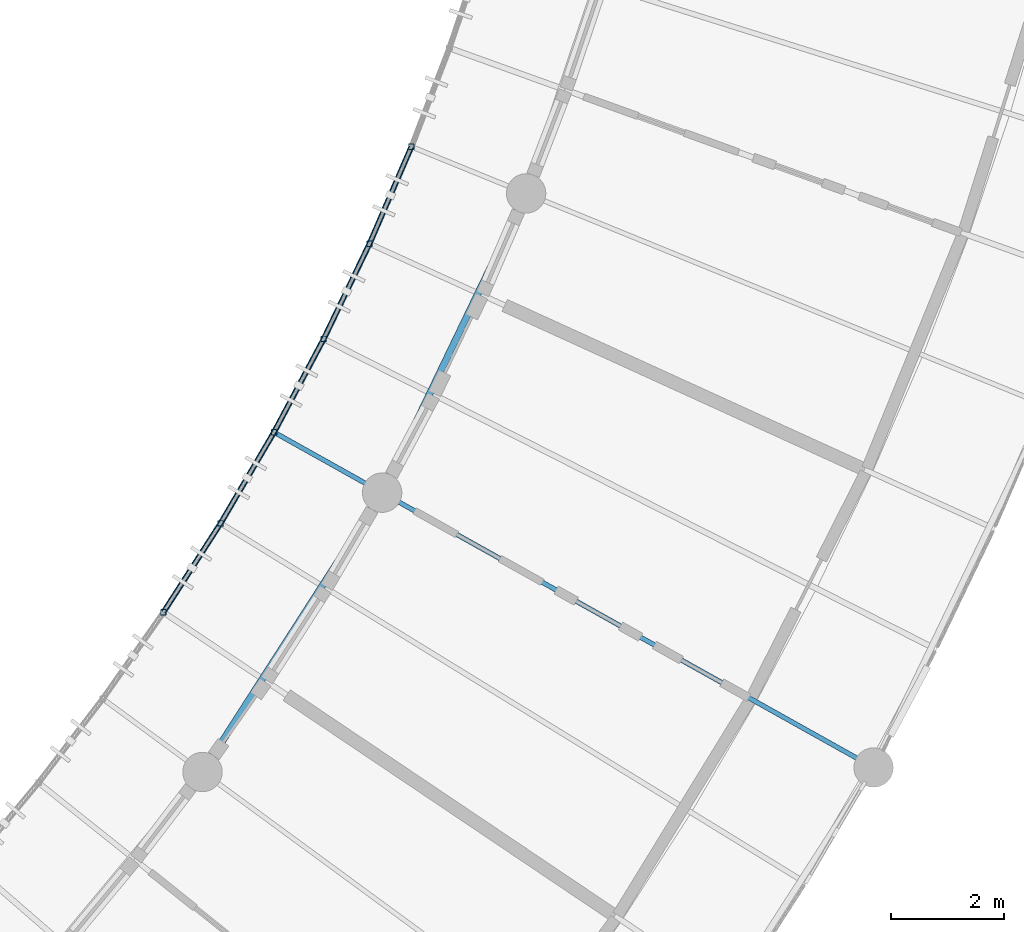
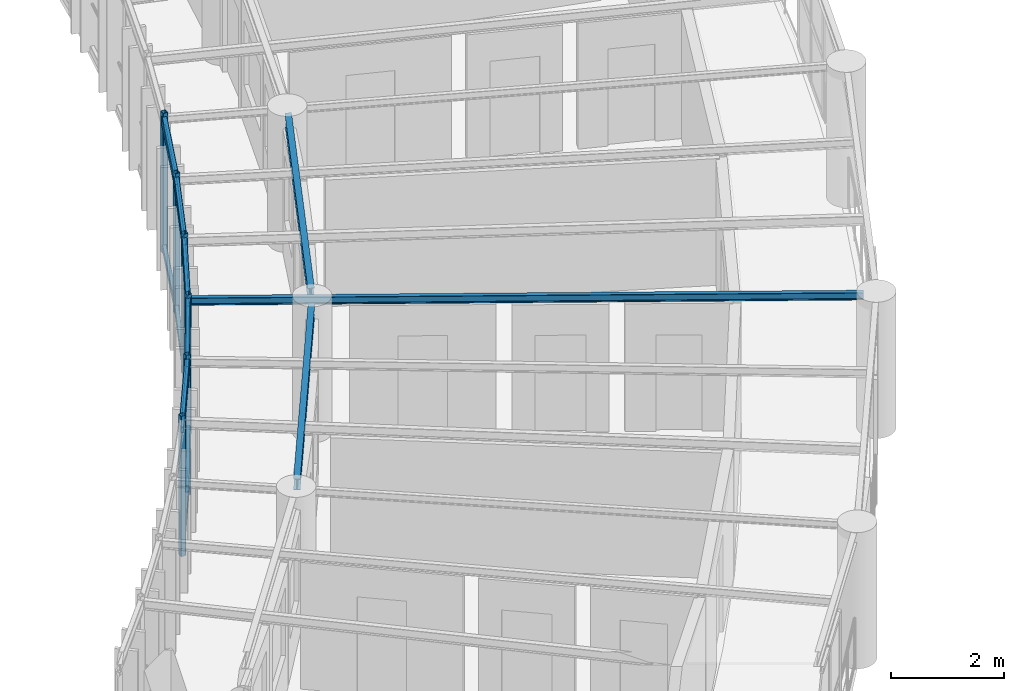
# One storey, part 13 of 100: 16 members, 8 beams.
"""IFC4 building model written with IfcOpenShell, lengths in metres."""

from ifc_helpers import new_model, si_unit, direction, frame, origin, origin_2d, place, context, subcontext, project, spatial, hollow_rectangle, i_section, extrude, material, material_profile, profile_set, type_object, element, save


model = new_model("IFC4")

# Units and contexts
model_context = context("Model", 3, precision=1e-05, world=origin(), true_north=direction((0.0, 1.0)))
body_context = subcontext(model_context, "Body", "Model", "MODEL_VIEW")
ifc_project = project(units=[si_unit("LENGTHUNIT", "METRE"), si_unit("AREAUNIT", "SQUARE_METRE"), si_unit("VOLUMEUNIT", "CUBIC_METRE"), si_unit("PLANEANGLEUNIT", "RADIAN"), si_unit("MASSUNIT", "GRAM", prefix="KILO"), si_unit("POWERUNIT", "WATT"), si_unit("THERMODYNAMICTEMPERATUREUNIT", "KELVIN")], contexts=[model_context])

# Site, building, storey
site_placement = place(None, origin())
site = spatial("IfcSite", under=ifc_project, at=site_placement, CompositionType="ELEMENT")
building_placement = place(site_placement, origin())
building = spatial("IfcBuilding", under=site, at=building_placement, Name="Ruvembo Vaulted Housing Court", CompositionType="ELEMENT")
storey_placement = place(building_placement, frame((0.0, 0.0, 10.89990234375)))
storey = spatial("IfcBuildingStorey", under=building, at=storey_placement, Name="L03", CompositionType="ELEMENT", Elevation=10.89990234375)

# Beams
ifc_material = material(Name="Steel S355J2", Category="steel")
ifc_material_profile_1 = material_profile(ifc_material, i_section(OverallWidth=0.08203125, OverallDepth=0.159912109375, WebThickness=0.0048828125, FlangeThickness=0.00732421875, FilletRadius=0.009033203125, at=origin_2d()), Name="IPE 160")
ifc_profile_set_1 = profile_set([ifc_material_profile_1], Name="Steel S355J2")
beam_type_1 = type_object("IfcBeamType", Name="BM-ST-IPE160", PredefinedType="JOIST", material=ifc_profile_set_1)
beam_1_placement = place(storey_placement, frame((52.420166015625, 45.801025390625, 2.860107421875), z_axis=(-0.872779724125, 0.488114282885, 0.0), x_axis=(-0.488114282885, -0.872779724125, 0.0)))
element("IfcBeam", 1, at=beam_1_placement, inside=storey, type_object=beam_type_1, Name="Scoop SC1 L03 Radial Steel Joist 6", PredefinedType="JOIST", context=body_context, shape_type="SweptSolid", body=[
    extrude(i_section(OverallWidth=0.08203125, OverallDepth=0.159912109375, WebThickness=0.0048828125, FlangeThickness=0.00732421875, FilletRadius=0.009033203125, at=origin_2d()), origin(), (0.0, 0.0, 1.0), 12.010009765625),
])
ifc_material_profile_2 = material_profile(ifc_material, i_section(OverallWidth=0.1201171875, OverallDepth=0.239990234375, WebThickness=0.006103515625, FlangeThickness=0.009765625, FilletRadius=0.014892578125, at=origin_2d()), Name="IPE 240")
ifc_profile_set_2 = profile_set([ifc_material_profile_2], Name="Steel S355J2")
beam_type_2 = type_object("IfcBeamType", Name="BM-ST-IPE240", PredefinedType="BEAM", material=ifc_profile_set_2)
beam_2_placement = place(storey_placement, frame((40.828369140625, 45.80322265625, 2.822021484375), z_axis=(0.540821135915, 0.841137621883, 0.0), x_axis=(-0.841137621883, 0.540821135915, 0.0)))
element("IfcBeam", 2, at=beam_2_placement, inside=storey, type_object=beam_type_2, Name="Scoop SC1 L03 Chord Girder F3", PredefinedType="BEAM", context=body_context, shape_type="SweptSolid", body=[
    extrude(i_section(OverallWidth=0.1201171875, OverallDepth=0.239990234375, WebThickness=0.006103515625, FlangeThickness=0.009765625, FilletRadius=0.014892578125, at=origin_2d()), origin(), (0.0, 0.0, 1.0), 5.43701171875),
])
beam_3_placement = place(storey_placement, frame((43.992919921875, 50.77734375, 2.822021484375), z_axis=(0.433600933421, 0.901105005278, 0.0), x_axis=(-0.901105005278, 0.433600933421, 0.0)))
element("IfcBeam", 3, at=beam_3_placement, inside=storey, type_object=beam_type_2, Name="Scoop SC1 L03 Chord Girder F6", PredefinedType="BEAM", context=body_context, shape_type="SweptSolid", body=[
    extrude(i_section(OverallWidth=0.1201171875, OverallDepth=0.239990234375, WebThickness=0.006103515625, FlangeThickness=0.009765625, FilletRadius=0.014892578125, at=origin_2d()), origin(), (0.0, 0.0, 1.0), 5.436767578125),
])
ifc_material_profile_3 = material_profile(ifc_material, hollow_rectangle(XDim=0.10009765625, YDim=0.199951171875, WallThickness=0.008056640625, InnerFilletRadius=0.008056640625, OuterFilletRadius=0.01611328125, at=origin_2d()), Name="RHS 200x100x8")
ifc_profile_set_3 = profile_set([ifc_material_profile_3], Name="Steel S355J2")
beam_type_3 = type_object("IfcBeamType", Name="BM-ST-RHS200", PredefinedType="SPANDREL", material=ifc_profile_set_3)
beam_4_placement = place(storey_placement, frame((40.0087890625, 48.446533203125, 2.840087890625), z_axis=(0.540783890821, 0.841161567969, 0.0), x_axis=(-0.841161567969, 0.540783890821, 0.0)))
element("IfcBeam", 4, at=beam_4_placement, inside=storey, type_object=beam_type_3, Name="Scoop SC1 L03 Balcony Edge Spandrel 4", PredefinedType="SPANDREL", context=body_context, shape_type="SweptSolid", body=[
    extrude(hollow_rectangle(XDim=0.10009765625, YDim=0.199951171875, WallThickness=0.008056640625, InnerFilletRadius=0.008056640625, OuterFilletRadius=0.01611328125, at=origin_2d()), origin(), (0.0, 0.0, 1.0), 1.876708984375),
])
beam_5_placement = place(storey_placement, frame((41.023681640625, 50.025146484375, 2.840087890625), z_axis=(0.505859733288, 0.862615748893, 0.0), x_axis=(-0.862615748893, 0.505859733288, 0.0)))
element("IfcBeam", 5, at=beam_5_placement, inside=storey, type_object=beam_type_3, Name="Scoop SC1 L03 Balcony Edge Spandrel 5", PredefinedType="SPANDREL", context=body_context, shape_type="SweptSolid", body=[
    extrude(hollow_rectangle(XDim=0.10009765625, YDim=0.199951171875, WallThickness=0.008056640625, InnerFilletRadius=0.008056640625, OuterFilletRadius=0.01611328125, at=origin_2d()), origin(), (0.0, 0.0, 1.0), 1.87646484375),
])
beam_6_placement = place(storey_placement, frame((41.972900390625, 51.643798828125, 2.840087890625), z_axis=(0.470115552325, 0.882604876183, 0.0), x_axis=(-0.882604876183, 0.470115552325, 0.0)))
element("IfcBeam", 6, at=beam_6_placement, inside=storey, type_object=beam_type_3, Name="Scoop SC1 L03 Balcony Edge Spandrel 6", PredefinedType="SPANDREL", context=body_context, shape_type="SweptSolid", body=[
    extrude(hollow_rectangle(XDim=0.10009765625, YDim=0.199951171875, WallThickness=0.008056640625, InnerFilletRadius=0.008056640625, OuterFilletRadius=0.01611328125, at=origin_2d()), origin(), (0.0, 0.0, 1.0), 1.876708984375),
])
for number, where, z_axis, x_axis, name in (
    (7, (42.855224609375, 53.30029296875, 2.840087890625), (0.433631756601, 0.901090172883, 0.0), (-0.901090172883, 0.433631756601, 0.0), "Scoop SC1 L03 Balcony Edge Spandrel 7"),
    (8, (43.6689453125, 54.9912109375, 2.840087890625), (0.396288974503, 0.918125834887, 0.0), (-0.918125834887, 0.396288974503, 0.0), "Scoop SC1 L03 Balcony Edge Spandrel 8"),
):
    element("IfcBeam", number, at=place(storey_placement, frame(where, z_axis=z_axis, x_axis=x_axis)), inside=storey, type_object=beam_type_3, Name=name, PredefinedType="SPANDREL", context=body_context, shape_type="SweptSolid", body=[
        extrude(hollow_rectangle(XDim=0.10009765625, YDim=0.199951171875, WallThickness=0.008056640625, InnerFilletRadius=0.008056640625, OuterFilletRadius=0.01611328125, at=origin_2d()), origin(), (0.0, 0.0, 1.0), 1.87646484375),
    ])

# Members
ifc_material_profile_4 = material_profile(ifc_material, hollow_rectangle(XDim=0.06005859375, YDim=0.1201171875, WallThickness=0.0048828125, InnerFilletRadius=0.0048828125, OuterFilletRadius=0.010009765625, at=origin_2d()), Name="RHS 120x60x5")
ifc_profile_set_4 = profile_set([ifc_material_profile_4], Name="Steel S355J2")
member_type_1 = type_object("IfcMemberType", Name="MEM-CAR-RHS120", PredefinedType="CHORD", material=ifc_profile_set_4)
member_1_placement = place(storey_placement, frame((40.0087890625, 48.446533203125, 2.68310546875), z_axis=(0.540783890821, 0.841161567969, 0.0), x_axis=(-0.841161567969, 0.540783890821, 0.0)))
element("IfcMember", 9, at=member_1_placement, inside=storey, type_object=member_type_1, Name="Scoop SC1 L03 Upper Louvre Carrier Rail 4", PredefinedType="CHORD", context=body_context, shape_type="SweptSolid", body=[
    extrude(hollow_rectangle(XDim=0.06005859375, YDim=0.1201171875, WallThickness=0.0048828125, InnerFilletRadius=0.0048828125, OuterFilletRadius=0.010009765625, at=origin_2d()), origin(), (0.0, 0.0, 1.0), 1.876708984375),
])
member_2_placement = place(storey_placement, frame((41.023681640625, 50.025146484375, 2.68310546875), z_axis=(0.505859733288, 0.862615748893, 0.0), x_axis=(-0.862615748893, 0.505859733288, 0.0)))
element("IfcMember", 10, at=member_2_placement, inside=storey, type_object=member_type_1, Name="Scoop SC1 L03 Upper Louvre Carrier Rail 5", PredefinedType="CHORD", context=body_context, shape_type="SweptSolid", body=[
    extrude(hollow_rectangle(XDim=0.06005859375, YDim=0.1201171875, WallThickness=0.0048828125, InnerFilletRadius=0.0048828125, OuterFilletRadius=0.010009765625, at=origin_2d()), origin(), (0.0, 0.0, 1.0), 1.87646484375),
])
member_3_placement = place(storey_placement, frame((41.972900390625, 51.643798828125, 2.68310546875), z_axis=(0.470115552325, 0.882604876183, 0.0), x_axis=(-0.882604876183, 0.470115552325, 0.0)))
element("IfcMember", 11, at=member_3_placement, inside=storey, type_object=member_type_1, Name="Scoop SC1 L03 Upper Louvre Carrier Rail 6", PredefinedType="CHORD", context=body_context, shape_type="SweptSolid", body=[
    extrude(hollow_rectangle(XDim=0.06005859375, YDim=0.1201171875, WallThickness=0.0048828125, InnerFilletRadius=0.0048828125, OuterFilletRadius=0.010009765625, at=origin_2d()), origin(), (0.0, 0.0, 1.0), 1.876708984375),
])
for number, where, z_axis, x_axis, name in (
    (12, (42.855224609375, 53.30029296875, 2.68310546875), (0.433631756601, 0.901090172883, 0.0), (-0.901090172883, 0.433631756601, 0.0), "Scoop SC1 L03 Upper Louvre Carrier Rail 7"),
    (13, (43.6689453125, 54.9912109375, 2.68310546875), (0.396288974503, 0.918125834887, 0.0), (-0.918125834887, 0.396288974503, 0.0), "Scoop SC1 L03 Upper Louvre Carrier Rail 8"),
):
    element("IfcMember", number, at=place(storey_placement, frame(where, z_axis=z_axis, x_axis=x_axis)), inside=storey, type_object=member_type_1, Name=name, PredefinedType="CHORD", context=body_context, shape_type="SweptSolid", body=[
        extrude(hollow_rectangle(XDim=0.06005859375, YDim=0.1201171875, WallThickness=0.0048828125, InnerFilletRadius=0.0048828125, OuterFilletRadius=0.010009765625, at=origin_2d()), origin(), (0.0, 0.0, 1.0), 1.87646484375),
    ])
ifc_material_profile_5 = material_profile(ifc_material, hollow_rectangle(XDim=0.080078125, YDim=0.14990234375, WallThickness=0.00634765625, InnerFilletRadius=0.00634765625, OuterFilletRadius=0.0126953125, at=origin_2d()), Name="RHS 150x80x6.3")
ifc_profile_set_5 = profile_set([ifc_material_profile_5], Name="Steel S355J2")
member_type_2 = type_object("IfcMemberType", Name="MEM-CAR-RHS150", PredefinedType="CHORD", material=ifc_profile_set_5)
member_4_placement = place(storey_placement, frame((40.0087890625, 48.446533203125, 0.09521484375), z_axis=(0.540783890821, 0.841161567969, 0.0), x_axis=(-0.841161567969, 0.540783890821, 0.0)))
element("IfcMember", 14, at=member_4_placement, inside=storey, type_object=member_type_2, Name="Scoop SC1 L03 Lower Louvre Carrier Rail 4", PredefinedType="CHORD", context=body_context, shape_type="SweptSolid", body=[
    extrude(hollow_rectangle(XDim=0.080078125, YDim=0.14990234375, WallThickness=0.00634765625, InnerFilletRadius=0.00634765625, OuterFilletRadius=0.0126953125, at=origin_2d()), origin(), (0.0, 0.0, 1.0), 1.876708984375),
])
member_5_placement = place(storey_placement, frame((41.023681640625, 50.025146484375, 0.09521484375), z_axis=(0.505859733288, 0.862615748893, 0.0), x_axis=(-0.862615748893, 0.505859733288, 0.0)))
element("IfcMember", 15, at=member_5_placement, inside=storey, type_object=member_type_2, Name="Scoop SC1 L03 Lower Louvre Carrier Rail 5", PredefinedType="CHORD", context=body_context, shape_type="SweptSolid", body=[
    extrude(hollow_rectangle(XDim=0.080078125, YDim=0.14990234375, WallThickness=0.00634765625, InnerFilletRadius=0.00634765625, OuterFilletRadius=0.0126953125, at=origin_2d()), origin(), (0.0, 0.0, 1.0), 1.87646484375),
])
member_6_placement = place(storey_placement, frame((41.972900390625, 51.643798828125, 0.09521484375), z_axis=(0.470115552325, 0.882604876183, 0.0), x_axis=(-0.882604876183, 0.470115552325, 0.0)))
element("IfcMember", 16, at=member_6_placement, inside=storey, type_object=member_type_2, Name="Scoop SC1 L03 Lower Louvre Carrier Rail 6", PredefinedType="CHORD", context=body_context, shape_type="SweptSolid", body=[
    extrude(hollow_rectangle(XDim=0.080078125, YDim=0.14990234375, WallThickness=0.00634765625, InnerFilletRadius=0.00634765625, OuterFilletRadius=0.0126953125, at=origin_2d()), origin(), (0.0, 0.0, 1.0), 1.876708984375),
])
for number, where, z_axis, x_axis, name in (
    (17, (42.855224609375, 53.30029296875, 0.09521484375), (0.433631756601, 0.901090172883, 0.0), (-0.901090172883, 0.433631756601, 0.0), "Scoop SC1 L03 Lower Louvre Carrier Rail 7"),
    (18, (43.6689453125, 54.9912109375, 0.09521484375), (0.396288974503, 0.918125834887, 0.0), (-0.918125834887, 0.396288974503, 0.0), "Scoop SC1 L03 Lower Louvre Carrier Rail 8"),
):
    element("IfcMember", number, at=place(storey_placement, frame(where, z_axis=z_axis, x_axis=x_axis)), inside=storey, type_object=member_type_2, Name=name, PredefinedType="CHORD", context=body_context, shape_type="SweptSolid", body=[
        extrude(hollow_rectangle(XDim=0.080078125, YDim=0.14990234375, WallThickness=0.00634765625, InnerFilletRadius=0.00634765625, OuterFilletRadius=0.0126953125, at=origin_2d()), origin(), (0.0, 0.0, 1.0), 1.87646484375),
    ])
ifc_material_profile_6 = material_profile(ifc_material, hollow_rectangle(XDim=0.10009765625, YDim=0.10009765625, WallThickness=0.00634765625, InnerFilletRadius=0.00634765625, OuterFilletRadius=0.0126953125, at=origin_2d()), Name="SHS 100x100x6.3")
ifc_profile_set_6 = profile_set([ifc_material_profile_6], Name="Steel S355J2")
member_type_3 = type_object("IfcMemberType", Name="MEM-FRM-SHS100", PredefinedType="STRUT", material=ifc_profile_set_6)
for number, where, z_axis, x_axis, name in (
    (19, (40.0087890625, 48.446533203125, -0.014892578125), (0.0, 0.0, 1.0), (1.0, 0.0, 0.0), "Scoop SC1 L03 Louvre Frame Post 4"),
    (20, (41.023681640625, 50.025146484375, -0.014892578125), (0.0, 0.0, 1.0), (1.0, 0.0, 0.0), "Scoop SC1 L03 Louvre Frame Post 5"),
    (21, (41.972900390625, 51.643798828125, -0.014892578125), (0.0, 0.0, 1.0), (1.0, 0.0, 0.0), "Scoop SC1 L03 Louvre Frame Post 6"),
    (22, (42.855224609375, 53.30029296875, -0.014892578125), (0.0, 0.0, 1.0), (1.0, 0.0, 0.0), "Scoop SC1 L03 Louvre Frame Post 7"),
    (23, (43.6689453125, 54.9912109375, -0.014892578125), (0.0, 0.0, 1.0), (1.0, 0.0, 0.0), "Scoop SC1 L03 Louvre Frame Post 8"),
    (24, (44.41259765625, 56.714111328125, -0.014892578125), (0.0, 0.0, 1.0), (1.0, 0.0, 0.0), "Scoop SC1 L03 Louvre Frame Post 9"),
):
    element("IfcMember", number, at=place(storey_placement, frame(where, z_axis=z_axis, x_axis=x_axis)), inside=storey, type_object=member_type_3, Name=name, PredefinedType="STRUT", context=body_context, shape_type="SweptSolid", body=[
        extrude(hollow_rectangle(XDim=0.10009765625, YDim=0.10009765625, WallThickness=0.00634765625, InnerFilletRadius=0.00634765625, OuterFilletRadius=0.0126953125, at=origin_2d()), origin(), (0.0, 0.0, 1.0), 3.032958984375),
    ])

save(model, "model.ifc")
